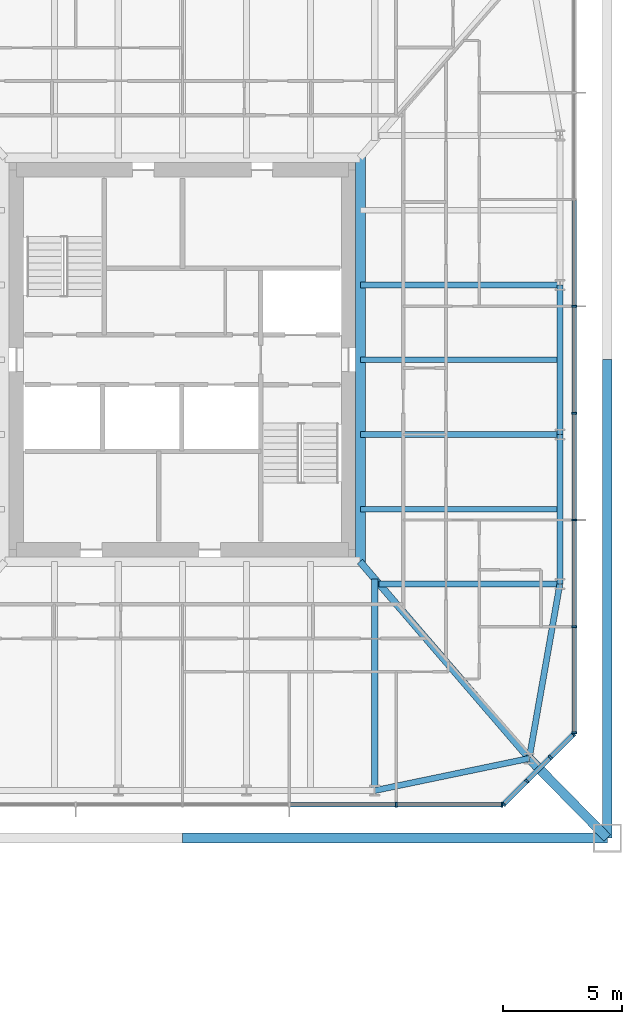
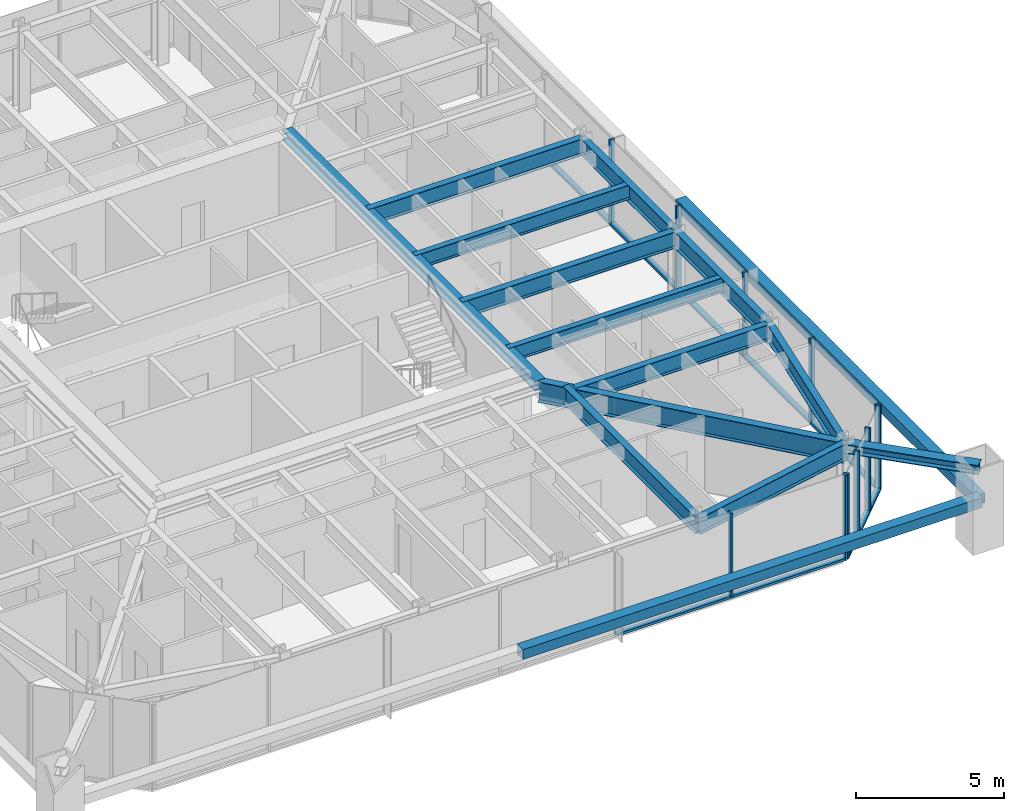
# One storey, part 10 of 27: 24 members, 12 beams, 3 elements without a shape of their own.
"""IFC4 building model written with IfcOpenShell, lengths in metres."""

from ifc_helpers import new_model, si_unit, direction, frame, origin, origin_2d, place, context, subcontext, project, spatial, rectangle, hollow_rectangle, i_section, extrude, material, material_profile, profile_set, type_object, element, aggregate, save


model = new_model("IFC4")

# Units and contexts
model_context = context("Model", 3, precision=1e-05, world=origin(), true_north=direction((0.0, 1.0)))
body_context = subcontext(model_context, "Body", "Model", "MODEL_VIEW")
ifc_project = project(units=[si_unit("LENGTHUNIT", "METRE"), si_unit("AREAUNIT", "SQUARE_METRE"), si_unit("VOLUMEUNIT", "CUBIC_METRE"), si_unit("PLANEANGLEUNIT", "RADIAN"), si_unit("MASSUNIT", "GRAM", prefix="KILO")], contexts=[model_context])

# Site, building, storey
site_placement = place(None, origin())
site = spatial("IfcSite", under=ifc_project, at=site_placement, CompositionType="ELEMENT")
building_placement = place(site_placement, origin())
building = spatial("IfcBuilding", under=site, at=building_placement, Name="Iwan Alto Co-Living Towers", CompositionType="ELEMENT")
storey_placement = place(building_placement, frame((0.0, 0.0, 53.5)))
storey = spatial("IfcBuildingStorey", under=building, at=storey_placement, Name="L14", CompositionType="ELEMENT", Elevation=53.5)

# Curtain wall, members
ifc_material_1 = material(Name="Bronze aluminium unitised frame", Category="aluminium")
curtain_wall_type_1 = type_object("IfcCurtainWallType", Name="CURTAIN WALL CW-C", PredefinedType="NOTDEFINED", material=ifc_material_1)
curtain_wall_1_placement = place(storey_placement, origin())
curtain_wall_1 = element("IfcCurtainWall", 1, at=curtain_wall_1_placement, inside=storey, type_object=curtain_wall_type_1, Name="T2 curtain wall S L14", PredefinedType="NOTDEFINED")
ifc_material_2 = material(Name="Aluminium 6063-T6 bronze anodised", Category="aluminium")
ifc_material_profile_1 = material_profile(ifc_material_2, rectangle(XDim=0.199951171875, YDim=0.080078125, at=origin_2d()), Name="AL 80X200")
ifc_profile_set_1 = profile_set([ifc_material_profile_1], Name="Aluminium 6063-T6 bronze anodised")
member_type_1 = type_object("IfcMemberType", Name="CW-C MULLION 80X200", PredefinedType="MULLION", material=ifc_profile_set_1)
member_1_placement = place(storey_placement, frame((72.0, -18.75, 0.0), z_axis=(0.0, 0.0, 1.0), x_axis=(0.0, 1.0, 0.0)))
member_1 = element("IfcMember", 2, at=member_1_placement, type_object=member_type_1, Name="CW-C mullion 6", PredefinedType="MULLION", context=body_context, shape_type="SweptSolid", body=[
    extrude(rectangle(XDim=0.199951171875, YDim=0.080078125, at=origin_2d()), origin(), (0.0, 0.0, 1.0), 3.5),
])
member_2_placement = place(storey_placement, frame((76.4599609375, -18.75, 0.0), z_axis=(0.0, 0.0, 1.0), x_axis=(0.0, 1.0, 0.0)))
member_2 = element("IfcMember", 3, at=member_2_placement, type_object=member_type_1, Name="CW-C mullion 7", PredefinedType="MULLION", context=body_context, shape_type="SweptSolid", body=[
    extrude(rectangle(XDim=0.199951171875, YDim=0.080078125, at=origin_2d()), origin(), (0.0, 0.0, 1.0), 3.5),
])

curtain_wall_2_placement = place(storey_placement, origin())
curtain_wall_2 = element("IfcCurtainWall", 4, at=curtain_wall_2_placement, inside=storey, type_object=curtain_wall_type_1, Name="T2 curtain wall E L14", PredefinedType="NOTDEFINED")
member_3_placement = place(storey_placement, frame((79.5, -15.7099609375, 0.0), z_axis=(0.0, 0.0, 1.0), x_axis=(-1.0, 0.0, 0.0)))
member_3 = element("IfcMember", 5, at=member_3_placement, type_object=member_type_1, Name="CW-C mullion 1", PredefinedType="MULLION", context=body_context, shape_type="SweptSolid", body=[
    extrude(rectangle(XDim=0.199951171875, YDim=0.080078125, at=origin_2d()), origin(), (0.0, 0.0, 1.0), 3.5),
])
member_4_placement = place(storey_placement, frame((79.5, -11.25, 0.0), z_axis=(0.0, 0.0, 1.0), x_axis=(-1.0, 0.0, 0.0)))
member_4 = element("IfcMember", 6, at=member_4_placement, type_object=member_type_1, Name="CW-C mullion 2", PredefinedType="MULLION", context=body_context, shape_type="SweptSolid", body=[
    extrude(rectangle(XDim=0.199951171875, YDim=0.080078125, at=origin_2d()), origin(), (0.0, 0.0, 1.0), 3.5),
])
member_5_placement = place(storey_placement, frame((79.5, -6.75, 0.0), z_axis=(0.0, 0.0, 1.0), x_axis=(-1.0, 0.0, 0.0)))
member_5 = element("IfcMember", 7, at=member_5_placement, type_object=member_type_1, Name="CW-C mullion 3", PredefinedType="MULLION", context=body_context, shape_type="SweptSolid", body=[
    extrude(rectangle(XDim=0.199951171875, YDim=0.080078125, at=origin_2d()), origin(), (0.0, 0.0, 1.0), 3.5),
])
member_6_placement = place(storey_placement, frame((79.5, -2.25, 0.0), z_axis=(0.0, 0.0, 1.0), x_axis=(-1.0, 0.0, 0.0)))
member_6 = element("IfcMember", 8, at=member_6_placement, type_object=member_type_1, Name="CW-C mullion 4", PredefinedType="MULLION", context=body_context, shape_type="SweptSolid", body=[
    extrude(rectangle(XDim=0.199951171875, YDim=0.080078125, at=origin_2d()), origin(), (0.0, 0.0, 1.0), 3.5),
])
member_7_placement = place(storey_placement, frame((79.5, 2.25, 0.0), z_axis=(0.0, 0.0, 1.0), x_axis=(-1.0, 0.0, 0.0)))
member_7 = element("IfcMember", 9, at=member_7_placement, type_object=member_type_1, Name="CW-C mullion 5", PredefinedType="MULLION", context=body_context, shape_type="SweptSolid", body=[
    extrude(rectangle(XDim=0.199951171875, YDim=0.080078125, at=origin_2d()), origin(), (0.0, 0.0, 1.0), 3.5),
])

# Member
ifc_material_3 = material(Name="Aluminium 6063-T6 bronze anodised", Category="aluminium")
ifc_material_profile_2 = material_profile(ifc_material_3, rectangle(XDim=0.199951171875, YDim=0.10009765625, at=origin_2d()), Name="AL 200X100")
ifc_profile_set_2 = profile_set([ifc_material_profile_2], Name="Aluminium 6063-T6 bronze anodised")
member_type_2 = type_object("IfcMemberType", Name="CW-C TRANSOM 200X100", PredefinedType="USERDEFINED", material=ifc_profile_set_2)
member_8_placement = place(storey_placement, frame((67.5400390625, -18.75, 0.050048828125), z_axis=(1.0, 0.0, 0.0), x_axis=(0.0, 1.0, 0.0)))
member_8 = element("IfcMember", 10, at=member_8_placement, type_object=member_type_2, Name="CW-C transom 5.1", ObjectType="TRANSOM", PredefinedType="USERDEFINED", context=body_context, shape_type="SweptSolid", body=[
    extrude(rectangle(XDim=0.199951171875, YDim=0.10009765625, at=origin_2d()), origin(), (0.0, 0.0, 1.0), 4.419921875),
])

member_9_placement = place(storey_placement, frame((72.0400390625, -18.75, 0.050048828125), z_axis=(1.0, 0.0, 0.0), x_axis=(0.0, 1.0, 0.0)))
member_9 = element("IfcMember", 11, at=member_9_placement, type_object=member_type_2, Name="CW-C transom 6.1", ObjectType="TRANSOM", PredefinedType="USERDEFINED", context=body_context, shape_type="SweptSolid", body=[
    extrude(rectangle(XDim=0.199951171875, YDim=0.10009765625, at=origin_2d()), origin(), (0.0, 0.0, 1.0), 4.3798828125),
])

aggregate(curtain_wall_1, [member_1, member_2, member_8, member_9])

member_10_placement = place(storey_placement, frame((79.5, -15.669921875, 0.050048828125), z_axis=(0.0, 1.0, 0.0), x_axis=(-1.0, 0.0, 0.0)))
member_10 = element("IfcMember", 12, at=member_10_placement, type_object=member_type_2, Name="CW-C transom 1.1", ObjectType="TRANSOM", PredefinedType="USERDEFINED", context=body_context, shape_type="SweptSolid", body=[
    extrude(rectangle(XDim=0.199951171875, YDim=0.10009765625, at=origin_2d()), origin(), (0.0, 0.0, 1.0), 4.3798828125),
])

member_11_placement = place(storey_placement, frame((79.5, -11.2099609375, 0.050048828125), z_axis=(0.0, 1.0, 0.0), x_axis=(-1.0, 0.0, 0.0)))
member_11 = element("IfcMember", 13, at=member_11_placement, type_object=member_type_2, Name="CW-C transom 2.1", ObjectType="TRANSOM", PredefinedType="USERDEFINED", context=body_context, shape_type="SweptSolid", body=[
    extrude(rectangle(XDim=0.199951171875, YDim=0.10009765625, at=origin_2d()), origin(), (0.0, 0.0, 1.0), 4.419921875),
])

member_12_placement = place(storey_placement, frame((79.5, -6.7099609375, 0.050048828125), z_axis=(0.0, 1.0, 0.0), x_axis=(-1.0, 0.0, 0.0)))
member_12 = element("IfcMember", 14, at=member_12_placement, type_object=member_type_2, Name="CW-C transom 3.1", ObjectType="TRANSOM", PredefinedType="USERDEFINED", context=body_context, shape_type="SweptSolid", body=[
    extrude(rectangle(XDim=0.199951171875, YDim=0.10009765625, at=origin_2d()), origin(), (0.0, 0.0, 1.0), 4.419921875),
])

member_13_placement = place(storey_placement, frame((79.5, -2.2099609375, 0.050048828125), z_axis=(0.0, 1.0, 0.0), x_axis=(-1.0, 0.0, 0.0)))
member_13 = element("IfcMember", 15, at=member_13_placement, type_object=member_type_2, Name="CW-C transom 4.1", ObjectType="TRANSOM", PredefinedType="USERDEFINED", context=body_context, shape_type="SweptSolid", body=[
    extrude(rectangle(XDim=0.199951171875, YDim=0.10009765625, at=origin_2d()), origin(), (0.0, 0.0, 1.0), 4.419921875),
])

member_14_placement = place(storey_placement, frame((79.5, 2.2900390625, 0.050048828125), z_axis=(0.0, 1.0, 0.0), x_axis=(-1.0, 0.0, 0.0)))
member_14 = element("IfcMember", 16, at=member_14_placement, type_object=member_type_2, Name="CW-C transom 5.1", ObjectType="TRANSOM", PredefinedType="USERDEFINED", context=body_context, shape_type="SweptSolid", body=[
    extrude(rectangle(XDim=0.199951171875, YDim=0.10009765625, at=origin_2d()), origin(), (0.0, 0.0, 1.0), 4.419921875),
])

aggregate(curtain_wall_2, [member_3, member_4, member_5, member_6, member_7, member_10, member_11, member_12, member_13, member_14])

# Curtain wall, members
ifc_material_4 = material(Name="Bronze aluminium unitised frame", Category="aluminium")
curtain_wall_type_2 = type_object("IfcCurtainWallType", Name="CURTAIN WALL CW-D", PredefinedType="NOTDEFINED", material=ifc_material_4)
curtain_wall_3_placement = place(storey_placement, origin())
curtain_wall_3 = element("IfcCurtainWall", 17, at=curtain_wall_3_placement, inside=storey, type_object=curtain_wall_type_2, Name="T2 chamfer curtain wall SE L14", PredefinedType="NOTDEFINED")
ifc_material_5 = material(Name="Aluminium 6063-T6 bronze anodised", Category="aluminium")
ifc_material_profile_3 = material_profile(ifc_material_5, rectangle(XDim=0.199951171875, YDim=0.080078125, at=origin_2d()), Name="AL 80X200")
ifc_profile_set_3 = profile_set([ifc_material_profile_3], Name="Aluminium 6063-T6 bronze anodised")
member_type_3 = type_object("IfcMemberType", Name="CW-D MULLION 80X200", PredefinedType="MULLION", material=ifc_profile_set_3)
member_15_placement = place(storey_placement, frame((76.5283203125, -18.7216796875, 0.0), z_axis=(0.0, 0.0, 1.0), x_axis=(-0.707106781187, 0.707106781187, 0.0)))
member_15 = element("IfcMember", 18, at=member_15_placement, type_object=member_type_3, Name="CW-D mullion 1", PredefinedType="MULLION", context=body_context, shape_type="SweptSolid", body=[
    extrude(rectangle(XDim=0.199951171875, YDim=0.080078125, at=origin_2d()), origin(), (0.0, 0.0, 1.0), 3.5),
])
member_16_placement = place(storey_placement, frame((77.5, -17.75, 0.0), z_axis=(0.0, 0.0, 1.0), x_axis=(-0.707106781187, 0.707106781187, 0.0)))
member_16 = element("IfcMember", 19, at=member_16_placement, type_object=member_type_3, Name="CW-D mullion 2", PredefinedType="MULLION", context=body_context, shape_type="SweptSolid", body=[
    extrude(rectangle(XDim=0.199951171875, YDim=0.080078125, at=origin_2d()), origin(), (0.0, 0.0, 1.0), 3.5),
])
member_17_placement = place(storey_placement, frame((78.5, -16.75, 0.0), z_axis=(0.0, 0.0, 1.0), x_axis=(-0.707106781187, 0.707106781187, 0.0)))
member_17 = element("IfcMember", 20, at=member_17_placement, type_object=member_type_3, Name="CW-D mullion 3", PredefinedType="MULLION", context=body_context, shape_type="SweptSolid", body=[
    extrude(rectangle(XDim=0.199951171875, YDim=0.080078125, at=origin_2d()), origin(), (0.0, 0.0, 1.0), 3.5),
])
member_18_placement = place(storey_placement, frame((79.4716796875, -15.7783203125, 0.0), z_axis=(0.0, 0.0, 1.0), x_axis=(-0.707106781187, 0.707106781187, 0.0)))
member_18 = element("IfcMember", 21, at=member_18_placement, type_object=member_type_3, Name="CW-D mullion 4", PredefinedType="MULLION", context=body_context, shape_type="SweptSolid", body=[
    extrude(rectangle(XDim=0.199951171875, YDim=0.080078125, at=origin_2d()), origin(), (0.0, 0.0, 1.0), 3.5),
])
ifc_material_6 = material(Name="Aluminium 6063-T6 bronze anodised", Category="aluminium")
ifc_material_profile_4 = material_profile(ifc_material_6, rectangle(XDim=0.199951171875, YDim=0.10009765625, at=origin_2d()), Name="AL 200X100")
ifc_profile_set_4 = profile_set([ifc_material_profile_4], Name="Aluminium 6063-T6 bronze anodised")
member_type_4 = type_object("IfcMemberType", Name="CW-D TRANSOM 200X100", PredefinedType="USERDEFINED", material=ifc_profile_set_4)
member_19_placement = place(storey_placement, frame((76.556640625, -18.693359375, 0.050048828125), z_axis=(0.707106781187, 0.707106781187, 0.0), x_axis=(-0.707106781187, 0.707106781187, 0.0)))
member_19 = element("IfcMember", 22, at=member_19_placement, type_object=member_type_4, Name="CW-D transom 1.1", ObjectType="TRANSOM", PredefinedType="USERDEFINED", context=body_context, shape_type="SweptSolid", body=[
    extrude(rectangle(XDim=0.199951171875, YDim=0.10009765625, at=origin_2d()), origin(), (0.0, 0.0, 1.0), 1.2939453125),
])
member_20_placement = place(storey_placement, frame((77.5283203125, -17.7216796875, 0.050048828125), z_axis=(0.707106781187, 0.707106781187, 0.0), x_axis=(-0.707106781187, 0.707106781187, 0.0)))
member_20 = element("IfcMember", 23, at=member_20_placement, type_object=member_type_4, Name="CW-D transom 2.1", ObjectType="TRANSOM", PredefinedType="USERDEFINED", context=body_context, shape_type="SweptSolid", body=[
    extrude(rectangle(XDim=0.199951171875, YDim=0.10009765625, at=origin_2d()), origin(), (0.0, 0.0, 1.0), 1.334228515625),
])
member_21_placement = place(storey_placement, frame((78.5283203125, -16.7216796875, 0.050048828125), z_axis=(0.707106781187, 0.707106781187, 0.0), x_axis=(-0.707106781187, 0.707106781187, 0.0)))
member_21 = element("IfcMember", 24, at=member_21_placement, type_object=member_type_4, Name="CW-D transom 3.1", ObjectType="TRANSOM", PredefinedType="USERDEFINED", context=body_context, shape_type="SweptSolid", body=[
    extrude(rectangle(XDim=0.199951171875, YDim=0.10009765625, at=origin_2d()), origin(), (0.0, 0.0, 1.0), 1.2939453125),
])
aggregate(curtain_wall_3, [member_15, member_16, member_17, member_18, member_19, member_20, member_21])

# Beams
ifc_material_7 = material(Name="Steel ASTM A992 Gr 50", Category="steel")
ifc_material_profile_5 = material_profile(ifc_material_7, i_section(OverallWidth=0.40380859375, OverallDepth=0.406494140625, WebThickness=0.027099609375, FlangeThickness=0.043701171875, at=origin_2d()), Name="W14X233")
ifc_profile_set_5 = profile_set([ifc_material_profile_5], Name="Steel ASTM A992 Gr 50")
beam_type_1 = type_object("IfcBeamType", Name="T2 CORE LEDGER BEAM W14X233", PredefinedType="BEAM", material=ifc_profile_set_5)
beam_1_placement = place(storey_placement, frame((70.501953125, -8.534912109375, 3.06689453125), z_axis=(0.0, 1.0, 0.0), x_axis=(-1.0, 0.0, 0.0)))
element("IfcBeam", 25, at=beam_1_placement, inside=storey, type_object=beam_type_1, Name="T2 core ledger beam E L15", PredefinedType="BEAM", context=body_context, shape_type="SweptSolid", body=[
    extrude(i_section(OverallWidth=0.40380859375, OverallDepth=0.406494140625, WebThickness=0.027099609375, FlangeThickness=0.043701171875, at=origin_2d()), origin(), (0.0, 0.0, 1.0), 17.06982421875),
])
ifc_material_8 = material(Name="Steel ASTM A992 Gr 50", Category="steel")
ifc_material_profile_6 = material_profile(ifc_material_8, i_section(OverallWidth=0.2919921875, OverallDepth=0.8408203125, WebThickness=0.0146484375, FlangeThickness=0.021728515625, at=origin_2d()), Name="W33X130")
ifc_profile_set_6 = profile_set([ifc_material_profile_6], Name="Steel ASTM A992 Gr 50")
beam_type_2 = type_object("IfcBeamType", Name="T2 CORNER GIRDER W33X130", PredefinedType="BEAM", material=ifc_profile_set_6)
beam_2_placement = place(storey_placement, frame((77.606201171875, -16.797119140625, 2.849609375), z_axis=(-0.651972301827, 0.758242782788, 0.0), x_axis=(-0.758242782788, -0.651972301827, 0.0)))
element("IfcBeam", 26, at=beam_2_placement, inside=storey, type_object=beam_type_2, Name="T2 corner girder CSE L15", PredefinedType="BEAM", context=body_context, shape_type="SweptSolid", body=[
    extrude(i_section(OverallWidth=0.2919921875, OverallDepth=0.8408203125, WebThickness=0.0146484375, FlangeThickness=0.021728515625, at=origin_2d()), origin(), (0.0, 0.0, 1.0), 10.93994140625),
])
ifc_material_9 = material(Name="Steel ASTM A992 Gr 50", Category="steel")
ifc_material_profile_7 = material_profile(ifc_material_9, i_section(OverallWidth=0.25390625, OverallDepth=0.683349609375, WebThickness=0.012451171875, FlangeThickness=0.018798828125, at=origin_2d()), Name="W27X94")
ifc_profile_set_7 = profile_set([ifc_material_profile_7], Name="Steel ASTM A992 Gr 50")
beam_type_3 = type_object("IfcBeamType", Name="T2 EDGE BEAM W27X94", PredefinedType="BEAM", material=ifc_profile_set_7)
beam_3_placement = place(storey_placement, frame((71.10009765625, -18.14990234375, 2.928466796875), z_axis=(0.979060119423, 0.203571320564, 0.0), x_axis=(-0.203571320564, 0.979060119423, 0.0)))
element("IfcBeam", 27, at=beam_3_placement, inside=storey, type_object=beam_type_3, Name="T2 edge beam S4 L15", PredefinedType="BEAM", context=body_context, shape_type="SweptSolid", body=[
    extrude(i_section(OverallWidth=0.25390625, OverallDepth=0.683349609375, WebThickness=0.012451171875, FlangeThickness=0.018798828125, at=origin_2d()), origin(), (0.0, 0.0, 1.0), 6.645263671875),
])
beam_4_placement = place(storey_placement, frame((77.606201171875, -16.797119140625, 2.928466796875), z_axis=(0.173413807283, 0.98484905008, 0.0), x_axis=(-0.98484905008, 0.173413807283, 0.0)))
element("IfcBeam", 28, at=beam_4_placement, inside=storey, type_object=beam_type_3, Name="T2 edge beam CSE L15", PredefinedType="BEAM", context=body_context, shape_type="SweptSolid", body=[
    extrude(i_section(OverallWidth=0.25390625, OverallDepth=0.683349609375, WebThickness=0.012451171875, FlangeThickness=0.018798828125, at=origin_2d()), origin(), (0.0, 0.0, 1.0), 7.460205078125),
])
beam_5_placement = place(storey_placement, frame((78.89990234375, -9.449951171875, 2.928466796875), z_axis=(0.0, 1.0, 0.0), x_axis=(-1.0, 0.0, 0.0)))
element("IfcBeam", 29, at=beam_5_placement, inside=storey, type_object=beam_type_3, Name="T2 edge beam E1 L15", PredefinedType="BEAM", context=body_context, shape_type="SweptSolid", body=[
    extrude(i_section(OverallWidth=0.25390625, OverallDepth=0.683349609375, WebThickness=0.012451171875, FlangeThickness=0.018798828125, at=origin_2d()), origin(), (0.0, 0.0, 1.0), 6.300048828125),
])
beam_6_placement = place(storey_placement, frame((78.89990234375, -3.14990234375, 2.928466796875), z_axis=(0.0, 1.0, 0.0), x_axis=(-1.0, 0.0, 0.0)))
element("IfcBeam", 30, at=beam_6_placement, inside=storey, type_object=beam_type_3, Name="T2 edge beam E2 L15", PredefinedType="BEAM", context=body_context, shape_type="SweptSolid", body=[
    extrude(i_section(OverallWidth=0.25390625, OverallDepth=0.683349609375, WebThickness=0.012451171875, FlangeThickness=0.018798828125, at=origin_2d()), origin(), (0.0, 0.0, 1.0), 6.2998046875),
])

# Members
ifc_material_10 = material(Name="Steel ASTM A992 Gr 50", Category="steel")
ifc_material_profile_8 = material_profile(ifc_material_10, i_section(OverallWidth=0.393798828125, OverallDepth=0.3759765625, WebThickness=0.017333984375, FlangeThickness=0.027587890625, at=origin_2d()), Name="W14X145")
ifc_profile_set_8 = profile_set([ifc_material_profile_8], Name="Steel ASTM A992 Gr 50")
member_type_5 = type_object("IfcMemberType", Name="T2 MEGA COLUMN FLOOR TIE W14X145", PredefinedType="STRUT", material=ifc_profile_set_8)
member_22_placement = place(storey_placement, frame((80.89990234375, -20.14990234375, 3.08203125), z_axis=(-0.700793469544, 0.71336422187, 0.0), x_axis=(-0.71336422187, -0.700793469544, 0.0)))
element("IfcMember", 31, at=member_22_placement, inside=storey, type_object=member_type_5, Name="T2 mega column floor tie SE L15", PredefinedType="STRUT", context=body_context, shape_type="SweptSolid", body=[
    extrude(i_section(OverallWidth=0.393798828125, OverallDepth=0.3759765625, WebThickness=0.017333984375, FlangeThickness=0.027587890625, at=origin_2d()), origin(), (0.0, 0.0, 1.0), 4.699951171875),
])
ifc_material_11 = material(Name="Steel ASTM A500 Gr C", Category="steel")
ifc_material_profile_9 = material_profile(ifc_material_11, hollow_rectangle(XDim=0.406494140625, YDim=0.406494140625, WallThickness=0.0146484375, at=origin_2d()), Name="HSS16X16X5/8")
ifc_profile_set_9 = profile_set([ifc_material_profile_9], Name="Steel ASTM A500 Gr C")
member_type_6 = type_object("IfcMemberType", Name="T2 MEGA TIE HSS16X16X5/8", PredefinedType="STRUT", material=ifc_profile_set_9)
member_23_placement = place(storey_placement, frame((63.0, -20.14990234375, 1.75), z_axis=(1.0, 0.0, 0.0), x_axis=(0.0, 1.0, 0.0)))
element("IfcMember", 32, at=member_23_placement, inside=storey, type_object=member_type_6, Name="T2 mega tie Z1B S 2", PredefinedType="STRUT", context=body_context, shape_type="SweptSolid", body=[
    extrude(hollow_rectangle(XDim=0.406494140625, YDim=0.406494140625, WallThickness=0.0146484375, at=origin_2d()), origin(), (0.0, 0.0, 1.0), 17.89990234375),
])
member_24_placement = place(storey_placement, frame((80.89990234375, -20.14990234375, 1.75), z_axis=(0.0, 1.0, 0.0), x_axis=(-1.0, 0.0, 0.0)))
element("IfcMember", 33, at=member_24_placement, inside=storey, type_object=member_type_6, Name="T2 mega tie Z1B E 1", PredefinedType="STRUT", context=body_context, shape_type="SweptSolid", body=[
    extrude(hollow_rectangle(XDim=0.406494140625, YDim=0.406494140625, WallThickness=0.0146484375, at=origin_2d()), origin(), (0.0, 0.0, 1.0), 20.14990234375),
])

# Beams
ifc_material_12 = material(Name="Steel ASTM A992 Gr 50", Category="steel")
ifc_material_profile_10 = material_profile(ifc_material_12, i_section(OverallWidth=0.25390625, OverallDepth=0.683349609375, WebThickness=0.012451171875, FlangeThickness=0.018798828125, at=origin_2d()), Name="W27X94")
ifc_profile_set_10 = profile_set([ifc_material_profile_10], Name="Steel ASTM A992 Gr 50")
beam_type_4 = type_object("IfcBeamType", Name="T2 RADIAL BEAM W27X94", PredefinedType="BEAM", material=ifc_profile_set_10)
beam_7_placement = place(storey_placement, frame((71.10009765625, -18.14990234375, 2.928466796875), z_axis=(0.0, 1.0, 0.0), x_axis=(-1.0, 0.0, 0.0)))
element("IfcBeam", 34, at=beam_7_placement, inside=storey, type_object=beam_type_4, Name="T2 radial beam S4 L15", PredefinedType="BEAM", context=body_context, shape_type="SweptSolid", body=[
    extrude(i_section(OverallWidth=0.25390625, OverallDepth=0.683349609375, WebThickness=0.012451171875, FlangeThickness=0.018798828125, at=origin_2d()), origin(), (0.0, 0.0, 1.0), 8.91943359375),
])
beam_8_placement = place(storey_placement, frame((78.89990234375, -9.449951171875, 2.928466796875), z_axis=(-1.0, 0.0, 0.0), x_axis=(0.0, -1.0, 0.0)))
element("IfcBeam", 35, at=beam_8_placement, inside=storey, type_object=beam_type_4, Name="T2 radial beam E1 L15", PredefinedType="BEAM", context=body_context, shape_type="SweptSolid", body=[
    extrude(i_section(OverallWidth=0.25390625, OverallDepth=0.683349609375, WebThickness=0.012451171875, FlangeThickness=0.018798828125, at=origin_2d()), origin(), (0.0, 0.0, 1.0), 7.611083984375),
])
for number, where, z_axis, x_axis, name in (
    (36, (78.89990234375, -3.14990234375, 2.928466796875), (-1.0, 0.0, 0.0), (0.0, -1.0, 0.0), "T2 radial beam E2 L15"),
    (37, (78.89990234375, 3.14990234375, 2.928466796875), (-1.0, 0.0, 0.0), (0.0, -1.0, 0.0), "T2 radial beam E3 L15"),
):
    element("IfcBeam", number, at=place(storey_placement, frame(where, z_axis=z_axis, x_axis=x_axis)), inside=storey, type_object=beam_type_4, Name=name, PredefinedType="BEAM", context=body_context, shape_type="SweptSolid", body=[
        extrude(i_section(OverallWidth=0.25390625, OverallDepth=0.683349609375, WebThickness=0.012451171875, FlangeThickness=0.018798828125, at=origin_2d()), origin(), (0.0, 0.0, 1.0), 8.39794921875),
    ])
ifc_material_13 = material(Name="Steel ASTM A992 Gr 50", Category="steel")
ifc_material_profile_11 = material_profile(ifc_material_13, i_section(OverallWidth=0.228271484375, OverallDepth=0.607177734375, WebThickness=0.01123046875, FlangeThickness=0.017333984375, at=origin_2d()), Name="W24X76")
ifc_profile_set_11 = profile_set([ifc_material_profile_11], Name="Steel ASTM A992 Gr 50")
beam_type_5 = type_object("IfcBeamType", Name="T2 SECONDARY BEAM W24X76", PredefinedType="JOIST", material=ifc_profile_set_11)
for number, where, z_axis, x_axis, name in (
    (38, (78.89990234375, -6.300048828125, 2.966552734375), (-1.0, 0.0, 0.0), (0.0, -1.0, 0.0), "T2 secondary beam E1 L15"),
    (39, (78.89990234375, 0.0, 2.966552734375), (-1.0, 0.0, 0.0), (0.0, -1.0, 0.0), "T2 secondary beam E2 L15"),
):
    element("IfcBeam", number, at=place(storey_placement, frame(where, z_axis=z_axis, x_axis=x_axis)), inside=storey, type_object=beam_type_5, Name=name, PredefinedType="JOIST", context=body_context, shape_type="SweptSolid", body=[
        extrude(i_section(OverallWidth=0.228271484375, OverallDepth=0.607177734375, WebThickness=0.01123046875, FlangeThickness=0.017333984375, at=origin_2d()), origin(), (0.0, 0.0, 1.0), 8.39794921875),
    ])

save(model, "model.ifc")
